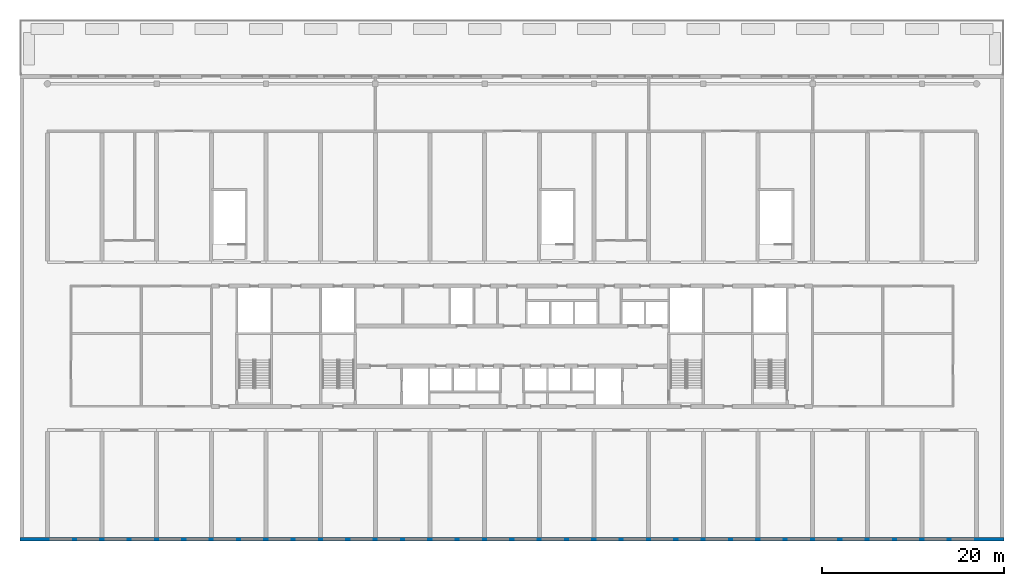
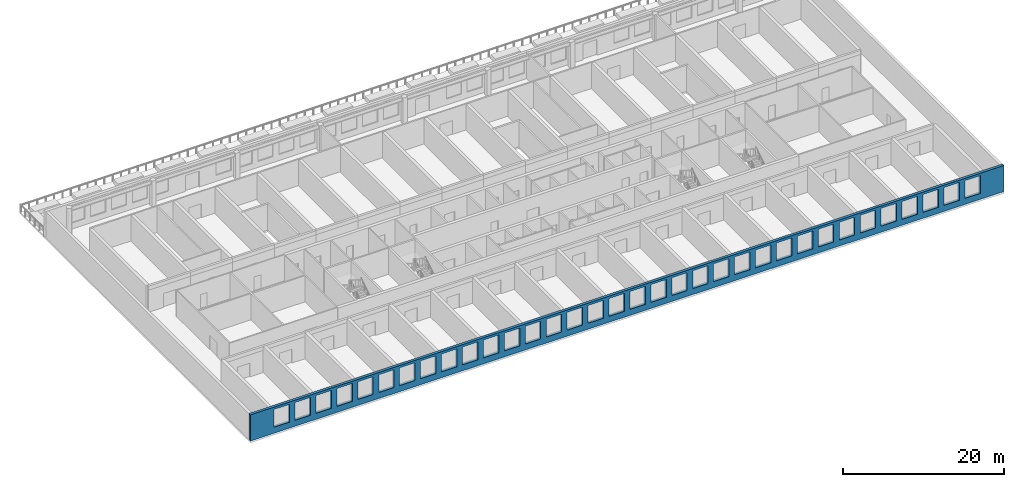
# One storey, part 3 of 15: 1 wall, 34 openings.
"""IFC4 building model written with IfcOpenShell, lengths in metres."""

from ifc_helpers import new_model, si_unit, direction, frame, frame_2d, origin, place, context, subcontext, project, spatial, rectangle, extrude, material, layer, layer_set, type_object, element, save


model = new_model("IFC4")

# Units and contexts
model_context = context("Model", 3, precision=1e-05, world=origin(), true_north=direction((0.0, 1.0)))
body_context = subcontext(model_context, "Body", "Model", "MODEL_VIEW")
ifc_project = project(units=[si_unit("LENGTHUNIT", "METRE"), si_unit("AREAUNIT", "SQUARE_METRE"), si_unit("VOLUMEUNIT", "CUBIC_METRE"), si_unit("PLANEANGLEUNIT", "RADIAN"), si_unit("MASSUNIT", "GRAM", prefix="KILO")], contexts=[model_context])

# Site, building, storey
site_placement = place(None, origin())
site = spatial("IfcSite", under=ifc_project, at=site_placement, CompositionType="ELEMENT")
building_placement = place(site_placement, origin())
building = spatial("IfcBuilding", under=site, at=building_placement, Name="Poui Terraces", CompositionType="ELEMENT")
storey_placement = place(building_placement, frame((0.0, 0.0, 19.199951171875)))
storey = spatial("IfcBuildingStorey", under=building, at=storey_placement, Name="L04", CompositionType="ELEMENT", Elevation=19.199951171875)

# Wall, openings
ifc_material = material(Name="Precast concrete 40 MPa", Category="concrete")
ifc_layer = layer(ifc_material, 0.39990234375)
ifc_layer_set = layer_set([ifc_layer], Name="Precast concrete 40 MPa")
wall_type = type_object("IfcWallType", Name="EXTERNAL WALL 400", PredefinedType="STANDARD", material=ifc_layer_set)
wall_placement = place(storey_placement, frame((-3.0, 0.0, 0.0), z_axis=(0.0, 0.0, 1.0), x_axis=(1.0, 0.0, 0.0)))
wall = element("IfcWall", 1, at=wall_placement, inside=storey, type_object=wall_type, Name="EXTERNAL WALL S", PredefinedType="STANDARD", context=body_context, shape_type="SweptSolid", body=[
    extrude(rectangle(XDim=108.0, YDim=0.39990234375, at=frame_2d((54.0, 0.0))), origin(), (0.0, 0.0, 1.0), 3.949951171875),
])
opening_1_placement = place(wall_placement, frame((3.39990234375, 0.0, 0.89990234375)))
element("IfcOpeningElement", 2, at=opening_1_placement, cuts=wall, Name="Opening W4", PredefinedType="OPENING", context=body_context, shape_type="SweptSolid", body=[
    extrude(rectangle(XDim=2.199951171875, YDim=2.699951171875, at=frame_2d((1.10009765625, 1.35009765625))), frame((0.0, 0.2099609375, 0.0), z_axis=(0.0, -1.0, 0.0), x_axis=(1.0, 0.0, 0.0)), (0.0, 0.0, 1.0), 0.419921875),
])
opening_2_placement = place(wall_placement, frame((6.39990234375, 0.0, 0.89990234375)))
element("IfcOpeningElement", 3, at=opening_2_placement, cuts=wall, Name="Opening W4", PredefinedType="OPENING", context=body_context, shape_type="SweptSolid", body=[
    extrude(rectangle(XDim=2.199951171875, YDim=2.699951171875, at=frame_2d((1.10009765625, 1.35009765625))), frame((0.0, 0.2099609375, 0.0), z_axis=(0.0, -1.0, 0.0), x_axis=(1.0, 0.0, 0.0)), (0.0, 0.0, 1.0), 0.419921875),
])
opening_3_placement = place(wall_placement, frame((9.39990234375, 0.0, 0.89990234375)))
element("IfcOpeningElement", 4, at=opening_3_placement, cuts=wall, Name="Opening W4", PredefinedType="OPENING", context=body_context, shape_type="SweptSolid", body=[
    extrude(rectangle(XDim=2.199951171875, YDim=2.699951171875, at=frame_2d((1.10009765625, 1.35009765625))), frame((0.0, 0.2099609375, 0.0), z_axis=(0.0, -1.0, 0.0), x_axis=(1.0, 0.0, 0.0)), (0.0, 0.0, 1.0), 0.419921875),
])
opening_4_placement = place(wall_placement, frame((12.39990234375, 0.0, 0.89990234375)))
element("IfcOpeningElement", 5, at=opening_4_placement, cuts=wall, Name="Opening W4", PredefinedType="OPENING", context=body_context, shape_type="SweptSolid", body=[
    extrude(rectangle(XDim=2.199951171875, YDim=2.699951171875, at=frame_2d((1.10009765625, 1.35009765625))), frame((0.0, 0.2099609375, 0.0), z_axis=(0.0, -1.0, 0.0), x_axis=(1.0, 0.0, 0.0)), (0.0, 0.0, 1.0), 0.419921875),
])
opening_5_placement = place(wall_placement, frame((15.39990234375, 0.0, 0.89990234375)))
element("IfcOpeningElement", 6, at=opening_5_placement, cuts=wall, Name="Opening W4", PredefinedType="OPENING", context=body_context, shape_type="SweptSolid", body=[
    extrude(rectangle(XDim=2.199951171875, YDim=2.699951171875, at=frame_2d((1.10009765625, 1.35009765625))), frame((0.0, 0.2099609375, 0.0), z_axis=(0.0, -1.0, 0.0), x_axis=(1.0, 0.0, 0.0)), (0.0, 0.0, 1.0), 0.419921875),
])
opening_6_placement = place(wall_placement, frame((18.39990234375, 0.0, 0.89990234375)))
element("IfcOpeningElement", 7, at=opening_6_placement, cuts=wall, Name="Opening W4", PredefinedType="OPENING", context=body_context, shape_type="SweptSolid", body=[
    extrude(rectangle(XDim=2.199951171875, YDim=2.699951171875, at=frame_2d((1.10009765625, 1.35009765625))), frame((0.0, 0.2099609375, 0.0), z_axis=(0.0, -1.0, 0.0), x_axis=(1.0, 0.0, 0.0)), (0.0, 0.0, 1.0), 0.419921875),
])
opening_7_placement = place(wall_placement, frame((21.39990234375, 0.0, 0.89990234375)))
element("IfcOpeningElement", 8, at=opening_7_placement, cuts=wall, Name="Opening W4", PredefinedType="OPENING", context=body_context, shape_type="SweptSolid", body=[
    extrude(rectangle(XDim=2.199951171875, YDim=2.699951171875, at=frame_2d((1.10009765625, 1.35009765625))), frame((0.0, 0.2099609375, 0.0), z_axis=(0.0, -1.0, 0.0), x_axis=(1.0, 0.0, 0.0)), (0.0, 0.0, 1.0), 0.419921875),
])
opening_8_placement = place(wall_placement, frame((24.39990234375, 0.0, 0.89990234375)))
element("IfcOpeningElement", 9, at=opening_8_placement, cuts=wall, Name="Opening W4", PredefinedType="OPENING", context=body_context, shape_type="SweptSolid", body=[
    extrude(rectangle(XDim=2.199951171875, YDim=2.699951171875, at=frame_2d((1.10009765625, 1.35009765625))), frame((0.0, 0.2099609375, 0.0), z_axis=(0.0, -1.0, 0.0), x_axis=(1.0, 0.0, 0.0)), (0.0, 0.0, 1.0), 0.419921875),
])
opening_9_placement = place(wall_placement, frame((27.39990234375, 0.0, 0.89990234375)))
element("IfcOpeningElement", 10, at=opening_9_placement, cuts=wall, Name="Opening W4", PredefinedType="OPENING", context=body_context, shape_type="SweptSolid", body=[
    extrude(rectangle(XDim=2.199951171875, YDim=2.699951171875, at=frame_2d((1.10009765625, 1.35009765625))), frame((0.0, 0.2099609375, 0.0), z_axis=(0.0, -1.0, 0.0), x_axis=(1.0, 0.0, 0.0)), (0.0, 0.0, 1.0), 0.419921875),
])
opening_10_placement = place(wall_placement, frame((30.39990234375, 0.0, 0.89990234375)))
element("IfcOpeningElement", 11, at=opening_10_placement, cuts=wall, Name="Opening W4", PredefinedType="OPENING", context=body_context, shape_type="SweptSolid", body=[
    extrude(rectangle(XDim=2.199951171875, YDim=2.699951171875, at=frame_2d((1.10009765625, 1.35009765625))), frame((0.0, 0.2099609375, 0.0), z_axis=(0.0, -1.0, 0.0), x_axis=(1.0, 0.0, 0.0)), (0.0, 0.0, 1.0), 0.419921875),
])
opening_11_placement = place(wall_placement, frame((33.39990234375, 0.0, 0.89990234375)))
element("IfcOpeningElement", 12, at=opening_11_placement, cuts=wall, Name="Opening W4", PredefinedType="OPENING", context=body_context, shape_type="SweptSolid", body=[
    extrude(rectangle(XDim=2.199951171875, YDim=2.699951171875, at=frame_2d((1.10009765625, 1.35009765625))), frame((0.0, 0.2099609375, 0.0), z_axis=(0.0, -1.0, 0.0), x_axis=(1.0, 0.0, 0.0)), (0.0, 0.0, 1.0), 0.419921875),
])
opening_12_placement = place(wall_placement, frame((36.39990234375, 0.0, 0.89990234375)))
element("IfcOpeningElement", 13, at=opening_12_placement, cuts=wall, Name="Opening W4", PredefinedType="OPENING", context=body_context, shape_type="SweptSolid", body=[
    extrude(rectangle(XDim=2.199951171875, YDim=2.699951171875, at=frame_2d((1.10009765625, 1.35009765625))), frame((0.0, 0.2099609375, 0.0), z_axis=(0.0, -1.0, 0.0), x_axis=(1.0, 0.0, 0.0)), (0.0, 0.0, 1.0), 0.419921875),
])
opening_13_placement = place(wall_placement, frame((39.39990234375, 0.0, 0.89990234375)))
element("IfcOpeningElement", 14, at=opening_13_placement, cuts=wall, Name="Opening W4", PredefinedType="OPENING", context=body_context, shape_type="SweptSolid", body=[
    extrude(rectangle(XDim=2.199951171875, YDim=2.699951171875, at=frame_2d((1.10009765625, 1.35009765625))), frame((0.0, 0.2099609375, 0.0), z_axis=(0.0, -1.0, 0.0), x_axis=(1.0, 0.0, 0.0)), (0.0, 0.0, 1.0), 0.419921875),
])
opening_14_placement = place(wall_placement, frame((42.39990234375, 0.0, 0.89990234375)))
element("IfcOpeningElement", 15, at=opening_14_placement, cuts=wall, Name="Opening W4", PredefinedType="OPENING", context=body_context, shape_type="SweptSolid", body=[
    extrude(rectangle(XDim=2.199951171875, YDim=2.699951171875, at=frame_2d((1.10009765625, 1.35009765625))), frame((0.0, 0.2099609375, 0.0), z_axis=(0.0, -1.0, 0.0), x_axis=(1.0, 0.0, 0.0)), (0.0, 0.0, 1.0), 0.419921875),
])
opening_15_placement = place(wall_placement, frame((45.39990234375, 0.0, 0.89990234375)))
element("IfcOpeningElement", 16, at=opening_15_placement, cuts=wall, Name="Opening W4", PredefinedType="OPENING", context=body_context, shape_type="SweptSolid", body=[
    extrude(rectangle(XDim=2.199951171875, YDim=2.699951171875, at=frame_2d((1.10009765625, 1.35009765625))), frame((0.0, 0.2099609375, 0.0), z_axis=(0.0, -1.0, 0.0), x_axis=(1.0, 0.0, 0.0)), (0.0, 0.0, 1.0), 0.419921875),
])
opening_16_placement = place(wall_placement, frame((48.39990234375, 0.0, 0.89990234375)))
element("IfcOpeningElement", 17, at=opening_16_placement, cuts=wall, Name="Opening W4", PredefinedType="OPENING", context=body_context, shape_type="SweptSolid", body=[
    extrude(rectangle(XDim=2.199951171875, YDim=2.699951171875, at=frame_2d((1.10009765625, 1.35009765625))), frame((0.0, 0.2099609375, 0.0), z_axis=(0.0, -1.0, 0.0), x_axis=(1.0, 0.0, 0.0)), (0.0, 0.0, 1.0), 0.419921875),
])
opening_17_placement = place(wall_placement, frame((51.39990234375, 0.0, 0.89990234375)))
element("IfcOpeningElement", 18, at=opening_17_placement, cuts=wall, Name="Opening W4", PredefinedType="OPENING", context=body_context, shape_type="SweptSolid", body=[
    extrude(rectangle(XDim=2.199951171875, YDim=2.699951171875, at=frame_2d((1.10009765625, 1.35009765625))), frame((0.0, 0.2099609375, 0.0), z_axis=(0.0, -1.0, 0.0), x_axis=(1.0, 0.0, 0.0)), (0.0, 0.0, 1.0), 0.419921875),
])
opening_18_placement = place(wall_placement, frame((54.39990234375, 0.0, 0.89990234375)))
element("IfcOpeningElement", 19, at=opening_18_placement, cuts=wall, Name="Opening W4", PredefinedType="OPENING", context=body_context, shape_type="SweptSolid", body=[
    extrude(rectangle(XDim=2.199951171875, YDim=2.699951171875, at=frame_2d((1.10009765625, 1.35009765625))), frame((0.0, 0.2099609375, 0.0), z_axis=(0.0, -1.0, 0.0), x_axis=(1.0, 0.0, 0.0)), (0.0, 0.0, 1.0), 0.419921875),
])
opening_19_placement = place(wall_placement, frame((57.39990234375, 0.0, 0.89990234375)))
element("IfcOpeningElement", 20, at=opening_19_placement, cuts=wall, Name="Opening W4", PredefinedType="OPENING", context=body_context, shape_type="SweptSolid", body=[
    extrude(rectangle(XDim=2.199951171875, YDim=2.699951171875, at=frame_2d((1.10009765625, 1.35009765625))), frame((0.0, 0.2099609375, 0.0), z_axis=(0.0, -1.0, 0.0), x_axis=(1.0, 0.0, 0.0)), (0.0, 0.0, 1.0), 0.419921875),
])
opening_20_placement = place(wall_placement, frame((60.39990234375, 0.0, 0.89990234375)))
element("IfcOpeningElement", 21, at=opening_20_placement, cuts=wall, Name="Opening W4", PredefinedType="OPENING", context=body_context, shape_type="SweptSolid", body=[
    extrude(rectangle(XDim=2.199951171875, YDim=2.699951171875, at=frame_2d((1.10009765625, 1.35009765625))), frame((0.0, 0.2099609375, 0.0), z_axis=(0.0, -1.0, 0.0), x_axis=(1.0, 0.0, 0.0)), (0.0, 0.0, 1.0), 0.419921875),
])
opening_21_placement = place(wall_placement, frame((63.39990234375, 0.0, 0.89990234375)))
element("IfcOpeningElement", 22, at=opening_21_placement, cuts=wall, Name="Opening W4", PredefinedType="OPENING", context=body_context, shape_type="SweptSolid", body=[
    extrude(rectangle(XDim=2.199951171875, YDim=2.699951171875, at=frame_2d((1.10009765625, 1.35009765625))), frame((0.0, 0.2099609375, 0.0), z_axis=(0.0, -1.0, 0.0), x_axis=(1.0, 0.0, 0.0)), (0.0, 0.0, 1.0), 0.419921875),
])
opening_22_placement = place(wall_placement, frame((66.39990234375, 0.0, 0.89990234375)))
element("IfcOpeningElement", 23, at=opening_22_placement, cuts=wall, Name="Opening W4", PredefinedType="OPENING", context=body_context, shape_type="SweptSolid", body=[
    extrude(rectangle(XDim=2.199951171875, YDim=2.699951171875, at=frame_2d((1.10009765625, 1.35009765625))), frame((0.0, 0.2099609375, 0.0), z_axis=(0.0, -1.0, 0.0), x_axis=(1.0, 0.0, 0.0)), (0.0, 0.0, 1.0), 0.419921875),
])
opening_23_placement = place(wall_placement, frame((69.39990234375, 0.0, 0.89990234375)))
element("IfcOpeningElement", 24, at=opening_23_placement, cuts=wall, Name="Opening W4", PredefinedType="OPENING", context=body_context, shape_type="SweptSolid", body=[
    extrude(rectangle(XDim=2.199951171875, YDim=2.699951171875, at=frame_2d((1.10009765625, 1.35009765625))), frame((0.0, 0.2099609375, 0.0), z_axis=(0.0, -1.0, 0.0), x_axis=(1.0, 0.0, 0.0)), (0.0, 0.0, 1.0), 0.419921875),
])
opening_24_placement = place(wall_placement, frame((72.39990234375, 0.0, 0.89990234375)))
element("IfcOpeningElement", 25, at=opening_24_placement, cuts=wall, Name="Opening W4", PredefinedType="OPENING", context=body_context, shape_type="SweptSolid", body=[
    extrude(rectangle(XDim=2.199951171875, YDim=2.699951171875, at=frame_2d((1.10009765625, 1.35009765625))), frame((0.0, 0.2099609375, 0.0), z_axis=(0.0, -1.0, 0.0), x_axis=(1.0, 0.0, 0.0)), (0.0, 0.0, 1.0), 0.419921875),
])
opening_25_placement = place(wall_placement, frame((75.39990234375, 0.0, 0.89990234375)))
element("IfcOpeningElement", 26, at=opening_25_placement, cuts=wall, Name="Opening W4", PredefinedType="OPENING", context=body_context, shape_type="SweptSolid", body=[
    extrude(rectangle(XDim=2.199951171875, YDim=2.699951171875, at=frame_2d((1.10009765625, 1.35009765625))), frame((0.0, 0.2099609375, 0.0), z_axis=(0.0, -1.0, 0.0), x_axis=(1.0, 0.0, 0.0)), (0.0, 0.0, 1.0), 0.419921875),
])
opening_26_placement = place(wall_placement, frame((78.39990234375, 0.0, 0.89990234375)))
element("IfcOpeningElement", 27, at=opening_26_placement, cuts=wall, Name="Opening W4", PredefinedType="OPENING", context=body_context, shape_type="SweptSolid", body=[
    extrude(rectangle(XDim=2.199951171875, YDim=2.699951171875, at=frame_2d((1.10009765625, 1.35009765625))), frame((0.0, 0.2099609375, 0.0), z_axis=(0.0, -1.0, 0.0), x_axis=(1.0, 0.0, 0.0)), (0.0, 0.0, 1.0), 0.419921875),
])
opening_27_placement = place(wall_placement, frame((81.39990234375, 0.0, 0.89990234375)))
element("IfcOpeningElement", 28, at=opening_27_placement, cuts=wall, Name="Opening W4", PredefinedType="OPENING", context=body_context, shape_type="SweptSolid", body=[
    extrude(rectangle(XDim=2.199951171875, YDim=2.699951171875, at=frame_2d((1.10009765625, 1.35009765625))), frame((0.0, 0.2099609375, 0.0), z_axis=(0.0, -1.0, 0.0), x_axis=(1.0, 0.0, 0.0)), (0.0, 0.0, 1.0), 0.419921875),
])
opening_28_placement = place(wall_placement, frame((84.39990234375, 0.0, 0.89990234375)))
element("IfcOpeningElement", 29, at=opening_28_placement, cuts=wall, Name="Opening W4", PredefinedType="OPENING", context=body_context, shape_type="SweptSolid", body=[
    extrude(rectangle(XDim=2.199951171875, YDim=2.699951171875, at=frame_2d((1.10009765625, 1.35009765625))), frame((0.0, 0.2099609375, 0.0), z_axis=(0.0, -1.0, 0.0), x_axis=(1.0, 0.0, 0.0)), (0.0, 0.0, 1.0), 0.419921875),
])
opening_29_placement = place(wall_placement, frame((87.39990234375, 0.0, 0.89990234375)))
element("IfcOpeningElement", 30, at=opening_29_placement, cuts=wall, Name="Opening W4", PredefinedType="OPENING", context=body_context, shape_type="SweptSolid", body=[
    extrude(rectangle(XDim=2.199951171875, YDim=2.699951171875, at=frame_2d((1.10009765625, 1.35009765625))), frame((0.0, 0.2099609375, 0.0), z_axis=(0.0, -1.0, 0.0), x_axis=(1.0, 0.0, 0.0)), (0.0, 0.0, 1.0), 0.419921875),
])
opening_30_placement = place(wall_placement, frame((90.39990234375, 0.0, 0.89990234375)))
element("IfcOpeningElement", 31, at=opening_30_placement, cuts=wall, Name="Opening W4", PredefinedType="OPENING", context=body_context, shape_type="SweptSolid", body=[
    extrude(rectangle(XDim=2.199951171875, YDim=2.699951171875, at=frame_2d((1.10009765625, 1.35009765625))), frame((0.0, 0.2099609375, 0.0), z_axis=(0.0, -1.0, 0.0), x_axis=(1.0, 0.0, 0.0)), (0.0, 0.0, 1.0), 0.419921875),
])
opening_31_placement = place(wall_placement, frame((93.39990234375, 0.0, 0.89990234375)))
element("IfcOpeningElement", 32, at=opening_31_placement, cuts=wall, Name="Opening W4", PredefinedType="OPENING", context=body_context, shape_type="SweptSolid", body=[
    extrude(rectangle(XDim=2.199951171875, YDim=2.699951171875, at=frame_2d((1.10009765625, 1.35009765625))), frame((0.0, 0.2099609375, 0.0), z_axis=(0.0, -1.0, 0.0), x_axis=(1.0, 0.0, 0.0)), (0.0, 0.0, 1.0), 0.419921875),
])
opening_32_placement = place(wall_placement, frame((96.39990234375, 0.0, 0.89990234375)))
element("IfcOpeningElement", 33, at=opening_32_placement, cuts=wall, Name="Opening W4", PredefinedType="OPENING", context=body_context, shape_type="SweptSolid", body=[
    extrude(rectangle(XDim=2.199951171875, YDim=2.699951171875, at=frame_2d((1.10009765625, 1.35009765625))), frame((0.0, 0.2099609375, 0.0), z_axis=(0.0, -1.0, 0.0), x_axis=(1.0, 0.0, 0.0)), (0.0, 0.0, 1.0), 0.419921875),
])
opening_33_placement = place(wall_placement, frame((99.39990234375, 0.0, 0.89990234375)))
element("IfcOpeningElement", 34, at=opening_33_placement, cuts=wall, Name="Opening W4", PredefinedType="OPENING", context=body_context, shape_type="SweptSolid", body=[
    extrude(rectangle(XDim=2.199951171875, YDim=2.699951171875, at=frame_2d((1.10009765625, 1.35009765625))), frame((0.0, 0.2099609375, 0.0), z_axis=(0.0, -1.0, 0.0), x_axis=(1.0, 0.0, 0.0)), (0.0, 0.0, 1.0), 0.419921875),
])
opening_34_placement = place(wall_placement, frame((102.39990234375, 0.0, 0.89990234375)))
element("IfcOpeningElement", 35, at=opening_34_placement, cuts=wall, Name="Opening W4", PredefinedType="OPENING", context=body_context, shape_type="SweptSolid", body=[
    extrude(rectangle(XDim=2.199951171875, YDim=2.699951171875, at=frame_2d((1.10009765625, 1.35009765625))), frame((0.0, 0.2099609375, 0.0), z_axis=(0.0, -1.0, 0.0), x_axis=(1.0, 0.0, 0.0)), (0.0, 0.0, 1.0), 0.419921875),
])

save(model, "model.ifc")
